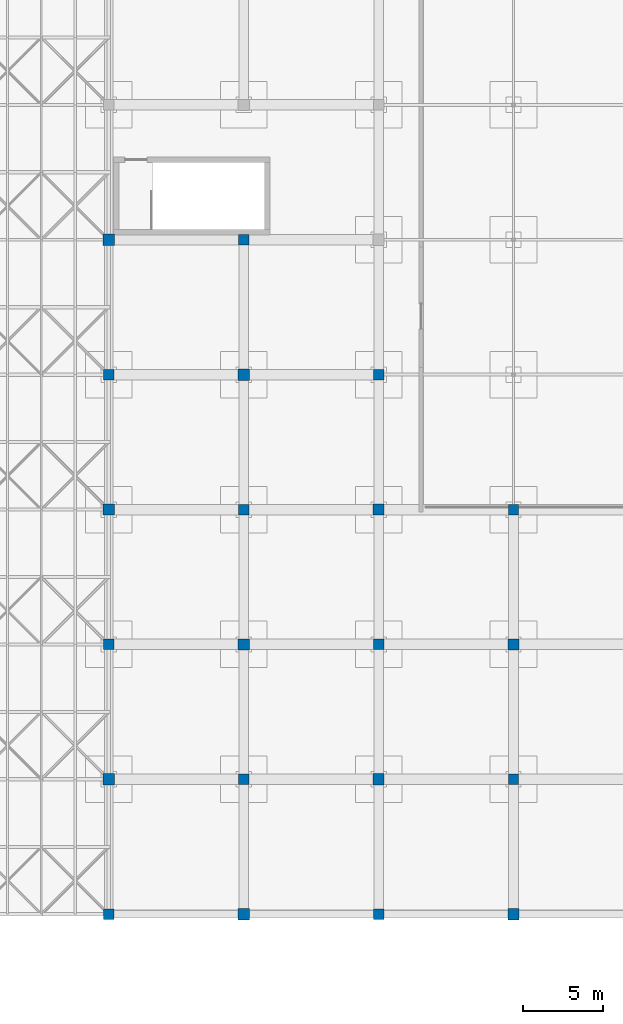
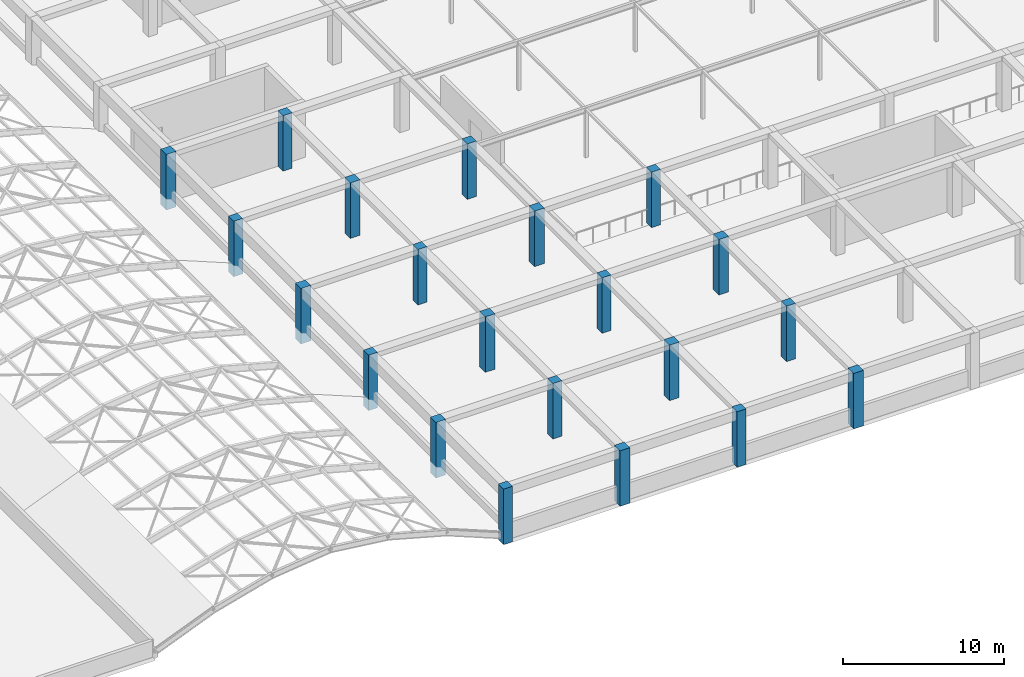
# One storey, part 3 of 85: 21 columns.
"""IFC4 building model written with IfcOpenShell, lengths in metres."""

from ifc_helpers import new_model, si_unit, direction, frame, origin, origin_2d, place, context, subcontext, project, spatial, rectangle, extrude, material, material_profile, profile_set, type_object, element, save


model = new_model("IFC4")

# Units and contexts
model_context = context("Model", 3, precision=1e-05, world=origin(), true_north=direction((0.0, 1.0)))
body_context = subcontext(model_context, "Body", "Model", "MODEL_VIEW")
ifc_project = project(units=[si_unit("LENGTHUNIT", "METRE"), si_unit("AREAUNIT", "SQUARE_METRE"), si_unit("VOLUMEUNIT", "CUBIC_METRE"), si_unit("PLANEANGLEUNIT", "RADIAN"), si_unit("MASSUNIT", "GRAM", prefix="KILO")], contexts=[model_context])

# Site, building, storey
site_placement = place(None, origin())
site = spatial("IfcSite", under=ifc_project, at=site_placement, CompositionType="ELEMENT")
building_placement = place(site_placement, origin())
building = spatial("IfcBuilding", under=site, at=building_placement, Name="Almacenes y Pasaje Nevantli", CompositionType="ELEMENT")
storey_placement = place(building_placement, frame((0.0, 0.0, 22.199951171875)))
storey = spatial("IfcBuildingStorey", under=building, at=storey_placement, Name="L05", CompositionType="ELEMENT", Elevation=22.199951171875)

# Columns
ifc_material_1 = material(Name="Concrete C45/55", Category="concrete")
ifc_material_profile_1 = material_profile(ifc_material_1, rectangle(XDim=0.64990234375, YDim=0.64990234375, at=origin_2d()), Name="RC-COL-650x650")
ifc_profile_set_1 = profile_set([ifc_material_profile_1], Name="Concrete C45/55")
column_type_1 = type_object("IfcColumnType", Name="COL-RC-650", PredefinedType="COLUMN", material=ifc_profile_set_1)
for number, where, z_axis, x_axis, name in (
    (1, (92.39990234375, 0.0, 0.0), (0.0, 0.0, 1.0), (1.0, 0.0, 0.0), "L05 Reinforced Concrete Column CL-07 #1916"),
    (2, (92.39990234375, 16.800048828125, 0.0), (0.0, 0.0, 1.0), (1.0, 0.0, 0.0), "L05 Reinforced Concrete Column CL-07 #1918"),
    (3, (92.39990234375, 33.60009765625, 0.0), (0.0, 0.0, 1.0), (1.0, 0.0, 0.0), "L05 Reinforced Concrete Column CL-07 #1920"),
    (4, (100.800048828125, 8.39990234375, 0.0), (0.0, 0.0, 1.0), (1.0, 0.0, 0.0), "L05 Reinforced Concrete Column CL-07 #1932"),
    (5, (100.800048828125, 25.199951171875, 0.0), (0.0, 0.0, 1.0), (1.0, 0.0, 0.0), "L05 Reinforced Concrete Column CL-07 #1934"),
    (6, (100.800048828125, 42.0, 0.0), (0.0, 0.0, 1.0), (1.0, 0.0, 0.0), "L05 Reinforced Concrete Column CL-07 #1936"),
    (7, (109.199951171875, 0.0, 0.0), (0.0, 0.0, 1.0), (1.0, 0.0, 0.0), "L05 Reinforced Concrete Column CL-07 #1946"),
    (8, (109.199951171875, 16.800048828125, 0.0), (0.0, 0.0, 1.0), (1.0, 0.0, 0.0), "L05 Reinforced Concrete Column CL-07 #1948"),
    (9, (109.199951171875, 33.60009765625, 0.0), (0.0, 0.0, 1.0), (1.0, 0.0, 0.0), "L05 Reinforced Concrete Column CL-07 #1950"),
    (10, (117.60009765625, 8.39990234375, 0.0), (0.0, 0.0, 1.0), (1.0, 0.0, 0.0), "L05 Reinforced Concrete Column CL-07 #1962"),
    (11, (117.60009765625, 25.199951171875, 0.0), (0.0, 0.0, 1.0), (1.0, 0.0, 0.0), "L05 Reinforced Concrete Column CL-07 #1964"),
):
    element("IfcColumn", number, at=place(storey_placement, frame(where, z_axis=z_axis, x_axis=x_axis)), inside=storey, type_object=column_type_1, Name=name, PredefinedType="COLUMN", context=body_context, shape_type="SweptSolid", body=[
        extrude(rectangle(XDim=0.64990234375, YDim=0.64990234375, at=origin_2d()), origin(), (0.0, 0.0, 1.0), 4.219970703125),
    ])
ifc_material_2 = material(Name="Concrete C45/55", Category="concrete")
ifc_material_profile_2 = material_profile(ifc_material_2, rectangle(XDim=0.699951171875, YDim=0.699951171875, at=origin_2d()), Name="RC-COL-700x700")
ifc_profile_set_2 = profile_set([ifc_material_profile_2], Name="Concrete C45/55")
column_type_2 = type_object("IfcColumnType", Name="COL-RC-700", PredefinedType="COLUMN", material=ifc_profile_set_2)
for number, where, z_axis, x_axis, name in (
    (12, (92.39990234375, 8.39990234375, 0.0), (0.0, 0.0, 1.0), (1.0, 0.0, 0.0), "L05 Reinforced Concrete Column CL-06 #1917"),
    (13, (92.39990234375, 25.199951171875, 0.0), (0.0, 0.0, 1.0), (1.0, 0.0, 0.0), "L05 Reinforced Concrete Column CL-06 #1919"),
    (14, (92.39990234375, 42.0, 0.0), (0.0, 0.0, 1.0), (1.0, 0.0, 0.0), "L05 Reinforced Concrete Column CL-06 #1921"),
    (15, (100.800048828125, 0.0, 0.0), (0.0, 0.0, 1.0), (1.0, 0.0, 0.0), "L05 Reinforced Concrete Column CL-06 #1931"),
    (16, (100.800048828125, 16.800048828125, 0.0), (0.0, 0.0, 1.0), (1.0, 0.0, 0.0), "L05 Reinforced Concrete Column CL-06 #1933"),
    (17, (100.800048828125, 33.60009765625, 0.0), (0.0, 0.0, 1.0), (1.0, 0.0, 0.0), "L05 Reinforced Concrete Column CL-06 #1935"),
    (18, (109.199951171875, 8.39990234375, 0.0), (0.0, 0.0, 1.0), (1.0, 0.0, 0.0), "L05 Reinforced Concrete Column CL-06 #1947"),
    (19, (109.199951171875, 25.199951171875, 0.0), (0.0, 0.0, 1.0), (1.0, 0.0, 0.0), "L05 Reinforced Concrete Column CL-06 #1949"),
    (20, (117.60009765625, 0.0, 0.0), (0.0, 0.0, 1.0), (1.0, 0.0, 0.0), "L05 Reinforced Concrete Column CL-06 #1961"),
    (21, (117.60009765625, 16.800048828125, 0.0), (0.0, 0.0, 1.0), (1.0, 0.0, 0.0), "L05 Reinforced Concrete Column CL-06 #1963"),
):
    element("IfcColumn", number, at=place(storey_placement, frame(where, z_axis=z_axis, x_axis=x_axis)), inside=storey, type_object=column_type_2, Name=name, PredefinedType="COLUMN", context=body_context, shape_type="SweptSolid", body=[
        extrude(rectangle(XDim=0.699951171875, YDim=0.699951171875, at=origin_2d()), origin(), (0.0, 0.0, 1.0), 4.219970703125),
    ])

save(model, "model.ifc")
